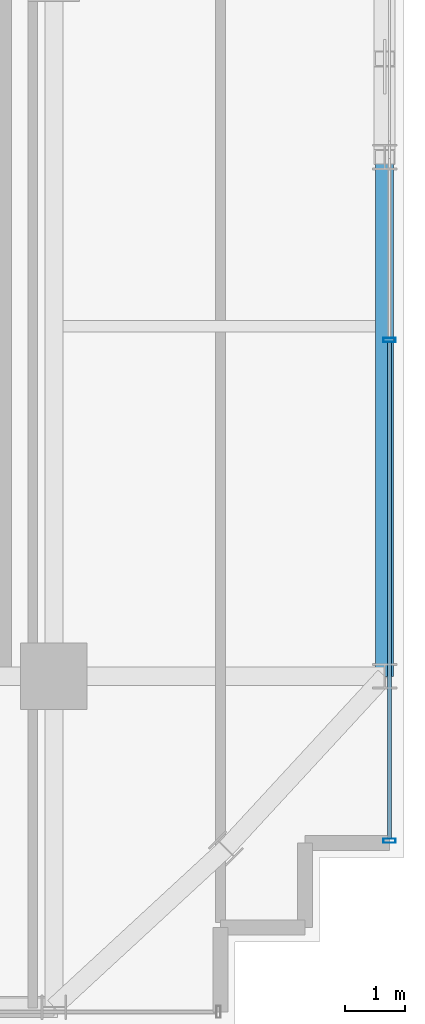
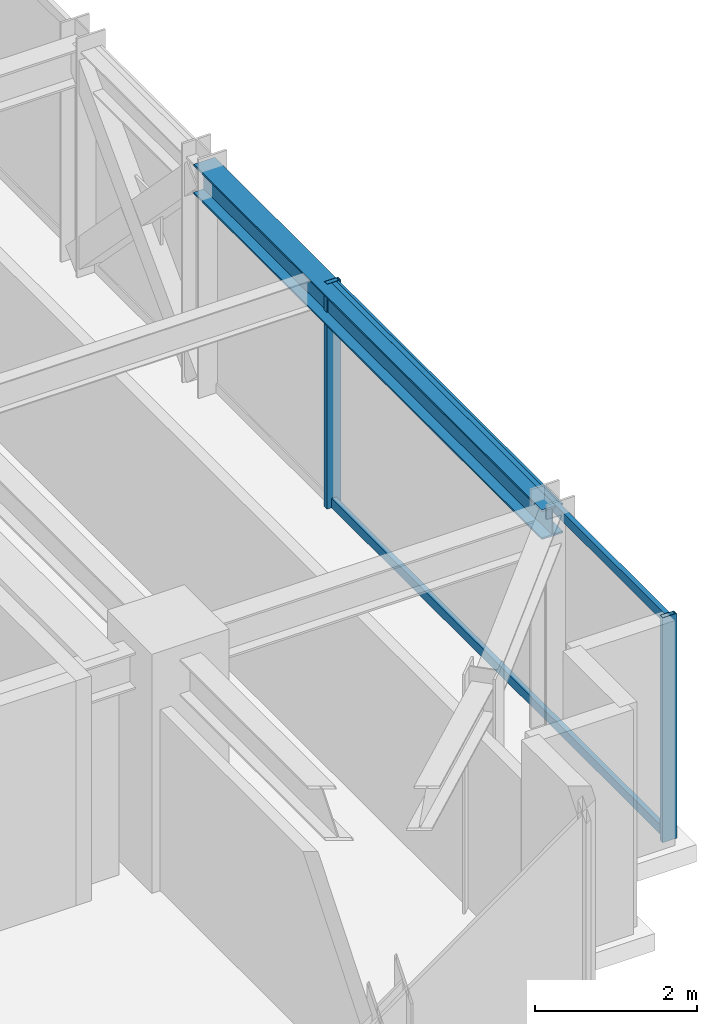
# One storey, part 14 of 36: 4 members, 1 beam, 1 element without a shape of its own.
"""IFC4 building model written with IfcOpenShell, lengths in metres."""

from ifc_helpers import new_model, si_unit, direction, frame, origin, origin_2d, place, context, subcontext, project, spatial, hollow_rectangle, i_section, extrude, source, transform, mapped, material, material_profile, profile_set, type_object, element, aggregate, save


model = new_model("IFC4")

# Units and contexts
model_context = context("Model", 3, precision=1e-05, world=origin(), true_north=direction((0.0, 1.0)))
body_context = subcontext(model_context, "Body", "Model", "MODEL_VIEW")
ifc_project = project(units=[si_unit("LENGTHUNIT", "METRE"), si_unit("AREAUNIT", "SQUARE_METRE"), si_unit("VOLUMEUNIT", "CUBIC_METRE"), si_unit("PLANEANGLEUNIT", "RADIAN"), si_unit("MASSUNIT", "GRAM", prefix="KILO")], contexts=[model_context])

# Site, building, storey
site_placement = place(None, origin())
site = spatial("IfcSite", under=ifc_project, at=site_placement, CompositionType="ELEMENT")
building_placement = place(site_placement, origin())
building = spatial("IfcBuilding", under=site, at=building_placement, Name="Nahalor Promenade Grand Hotel", CompositionType="ELEMENT")
storey_placement = place(building_placement, frame((0.0, 0.0, 170.89990234375)))
storey = spatial("IfcBuildingStorey", under=building, at=storey_placement, Name="L43", CompositionType="ELEMENT", Elevation=170.89990234375)

# Beam
ifc_material_1 = material(Name="Steel S355JR", Category="steel")
ifc_material_profile_1 = material_profile(ifc_material_1, i_section(OverallWidth=0.3, OverallDepth=0.45, WebThickness=0.014, FlangeThickness=0.026, at=origin_2d()), Name="HEB 450")
ifc_profile_set_1 = profile_set([ifc_material_profile_1], Name="Steel S355JR")
beam_type = type_object("IfcBeamType", Name="Beam-Spandrel-HEB450", PredefinedType="SPANDREL", material=ifc_profile_set_1)
shared_shape_1 = source(origin(), body_context, "Body", "SweptSolid", [
    extrude(i_section(OverallWidth=0.3, OverallDepth=0.45, WebThickness=0.014, FlangeThickness=0.026, at=origin_2d()), origin(), (0.0, 0.0, 1.0), 8.60009765625),
])
beam_placement = place(storey_placement, frame((22.47998046875, -17.0, 3.1650390625), z_axis=(0.0, 1.0, 0.0), x_axis=(-1.0, 0.0, 0.0)))
element("IfcBeam", 1, at=beam_placement, inside=storey, type_object=beam_type, Name="BM-L43-SP-E-0", PredefinedType="SPANDREL", context=body_context, shape_type="MappedRepresentation", body=[
    mapped(shared_shape_1, transform((0.0, 0.0, 0.0), scale=1.0)),
])

# Curtain wall, members
ifc_material_2 = material(Name="Anodised Bronze Aluminium EN AW-6063 T6", Category="aluminium")
curtain_wall_type = type_object("IfcCurtainWallType", Name="CW3 Elliptical-Void Collar Unitised Curtain Wall", PredefinedType="USERDEFINED", material=ifc_material_2)
curtain_wall_placement = place(storey_placement, origin())
curtain_wall = element("IfcCurtainWall", 2, at=curtain_wall_placement, inside=storey, type_object=curtain_wall_type, Name="L43 Curtain Wall CW-L43-E-1", ObjectType="UNITISED_CURTAIN_WALL", PredefinedType="USERDEFINED")
ifc_material_profile_2 = material_profile(ifc_material_2, hollow_rectangle(XDim=0.07, YDim=0.2, WallThickness=0.005, at=origin_2d()), Name="CWM 70x200x5")
ifc_profile_set_2 = profile_set([ifc_material_profile_2], Name="Anodised Bronze Aluminium EN AW-6063 T6")
member_type_1 = type_object("IfcMemberType", Name="CWM3 Void Collar Mullion 70x200", PredefinedType="MULLION", material=ifc_profile_set_2)
shared_shape_2 = source(origin(), body_context, "Body", "SweptSolid", [
    extrude(hollow_rectangle(XDim=0.07, YDim=0.2, WallThickness=0.005, at=origin_2d()), origin(), (0.0, 0.0, 1.0), 3.39013671875),
])
member_1_placement = place(storey_placement, frame((22.56005859375, -19.72509765625, 0.0), z_axis=(0.0, 0.0, 1.0), x_axis=(0.0, 1.0, 0.0)))
member_1 = element("IfcMember", 3, at=member_1_placement, type_object=member_type_1, Name="CW-L43-E-1 Mullion 0", PredefinedType="MULLION", context=body_context, shape_type="MappedRepresentation", body=[
    mapped(shared_shape_2, transform((0.0, 0.0, 0.0), scale=1.0)),
])
member_2_placement = place(storey_placement, frame((22.56005859375, -11.429931640625, 0.0), z_axis=(0.0, 0.0, 1.0), x_axis=(0.0, 1.0, 0.0)))
member_2 = element("IfcMember", 4, at=member_2_placement, type_object=member_type_1, Name="CW-L43-E-1 Mullion 1", PredefinedType="MULLION", context=body_context, shape_type="MappedRepresentation", body=[
    mapped(shared_shape_2, transform((0.0, 0.0, 0.0), scale=1.0)),
])
ifc_material_profile_3 = material_profile(ifc_material_2, hollow_rectangle(XDim=0.07, YDim=0.14, WallThickness=0.004, at=origin_2d()), Name="CWT 70x140x4")
ifc_profile_set_3 = profile_set([ifc_material_profile_3], Name="Anodised Bronze Aluminium EN AW-6063 T6")
member_type_2 = type_object("IfcMemberType", Name="CWT3 Void Collar Transom 70x140", PredefinedType="USERDEFINED", material=ifc_profile_set_3)
shared_shape_3 = source(origin(), body_context, "Body", "SweptSolid", [
    extrude(hollow_rectangle(XDim=0.07, YDim=0.14, WallThickness=0.004, at=origin_2d()), origin(), (0.0, 0.0, 1.0), 8.224853515625),
])
member_3_placement = place(storey_placement, frame((22.56005859375, -19.68994140625, 0.070068359375), z_axis=(0.0, 1.0, 0.0), x_axis=(-1.0, 0.0, 0.0)))
member_3 = element("IfcMember", 5, at=member_3_placement, type_object=member_type_2, Name="CW-L43-E-1 Transom 0-0", ObjectType="TRANSOM", PredefinedType="USERDEFINED", context=body_context, shape_type="MappedRepresentation", body=[
    mapped(shared_shape_3, transform((0.0, 0.0, 0.0), scale=1.0)),
])
member_4_placement = place(storey_placement, frame((22.56005859375, -19.68994140625, 3.320068359375), z_axis=(0.0, 1.0, 0.0), x_axis=(-1.0, 0.0, 0.0)))
member_4 = element("IfcMember", 6, at=member_4_placement, type_object=member_type_2, Name="CW-L43-E-1 Transom 0-1", ObjectType="TRANSOM", PredefinedType="USERDEFINED", context=body_context, shape_type="MappedRepresentation", body=[
    mapped(shared_shape_3, transform((0.0, 0.0, 0.0), scale=1.0)),
])
aggregate(curtain_wall, [member_1, member_2, member_3, member_4])

save(model, "model.ifc")
